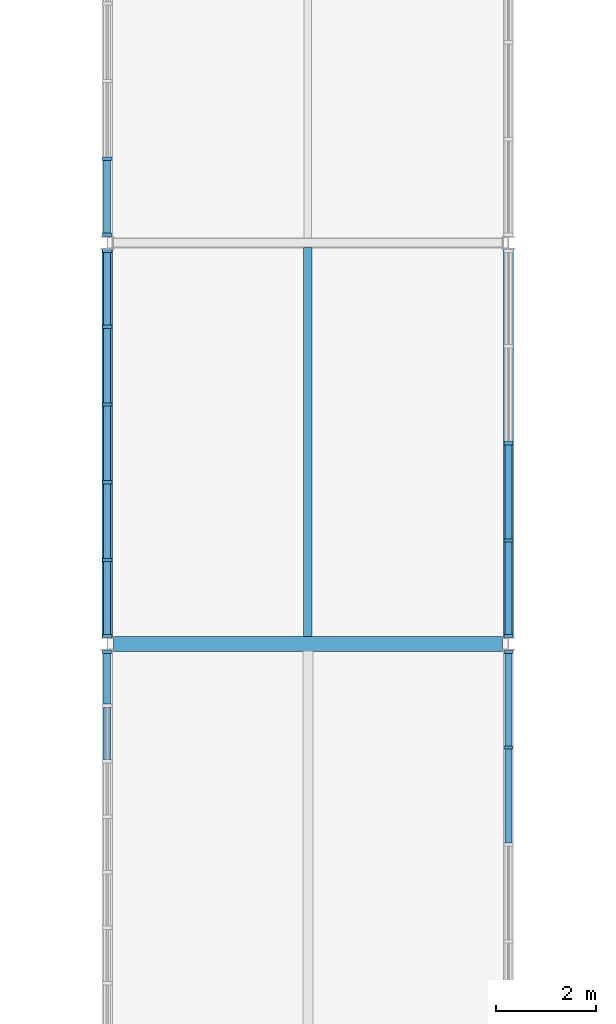
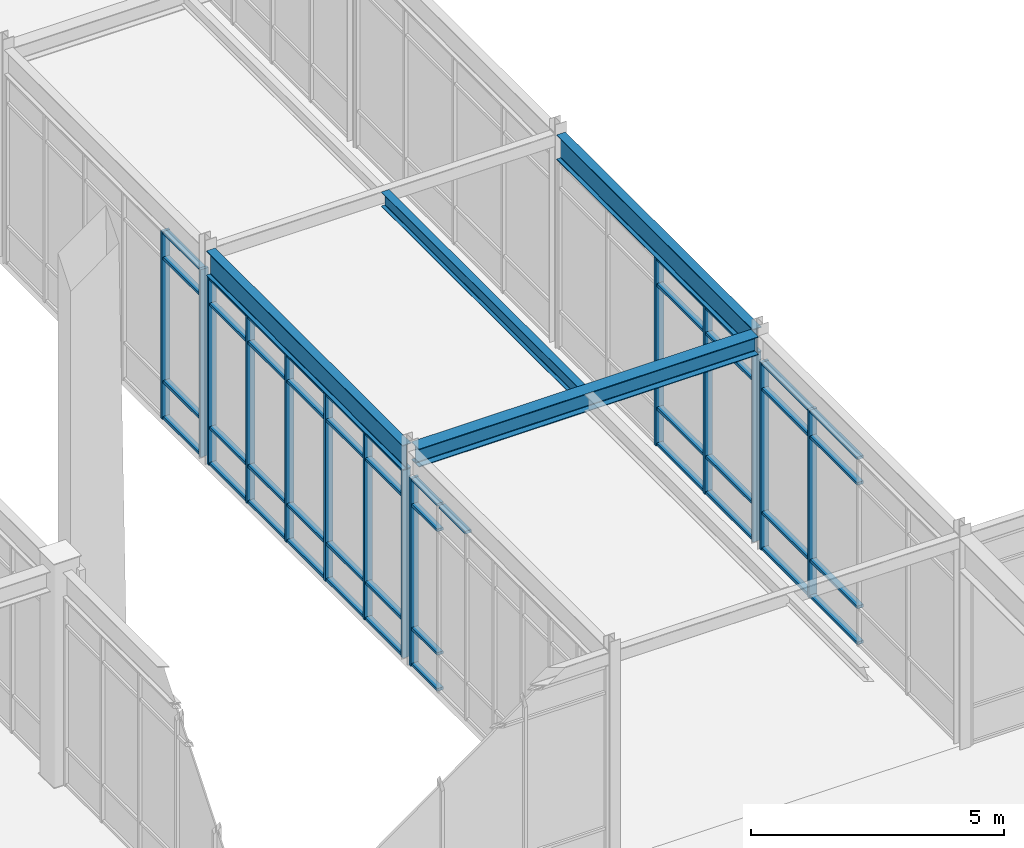
# One storey, part 41 of 184: 59 members, 4 beams, 5 elements without a shape of their own.
"""IFC4 building model written with IfcOpenShell, lengths in metres."""

import ifcopenshell
import ifcopenshell.guid

model = None  # the IFC model being written
_history = None  # IfcOwnerHistory: only IFC2X3 demands one
_inside = {}  # id of a spatial element -> (the spatial element, [elements in it])
_under = {}  # id of a project, library or spatial element -> (it, [spatial elements below it])
_declared = {}  # id of a project -> (the project, [libraries it declares])
_typed = {}  # id of a type object -> (the type object, [elements of that type])
_made_of = {}  # id of a material, layer set ... -> (it, [elements and type objects made of it])


def new_model(schema):
    """Start an empty IFC model of exactly this schema.

    Asked for "IFC4X3", IfcOpenShell would pick the latest addendum, in which some entities
    have other attributes; the version numbers below select the first issue.
    IFC2X3 requires an IfcOwnerHistory on every rooted entity: one is made here for all.
    """
    global model, _history
    if schema == "IFC4X3":
        model = ifcopenshell.file(schema_version=(4, 3, 0, 0))
    else:
        model = ifcopenshell.file(schema=schema)
    _inside.clear()
    _under.clear()
    _declared.clear()
    _typed.clear()
    _made_of.clear()
    _history = None
    if model.schema == "IFC2X3":
        org = make("IfcOrganization", Name="unknown")
        user = make(
            "IfcPersonAndOrganization",
            ThePerson=make("IfcPerson", FamilyName="unknown"),
            TheOrganization=org,
        )
        app = make(
            "IfcApplication",
            ApplicationDeveloper=org,
            Version="unknown",
            ApplicationFullName="unknown",
            ApplicationIdentifier="unknown",
        )
        _history = make(
            "IfcOwnerHistory",
            OwningUser=user,
            OwningApplication=app,
            ChangeAction="ADDED",
            CreationDate=0,
        )
    return model


def make(cls, **values):
    """One entity of the class cls with the attributes given. An attribute that is None is left unset."""
    return model.create_entity(
        cls, **{name: value for name, value in values.items() if value is not None}
    )


def rooted(cls, **values):
    """An entity with a GlobalId (a new one), such as an element, a storey or a relation."""
    return make(cls, GlobalId=ifcopenshell.guid.new(), OwnerHistory=_history, **values)


def si_unit(unit_type, name, prefix=None):
    """IfcSIUnit, for example si_unit("LENGTHUNIT", "METRE", prefix="MILLI")."""
    return make("IfcSIUnit", UnitType=unit_type, Prefix=prefix, Name=name)


def assignment(units):
    """IfcUnitAssignment: the units of a project."""
    return None if units is None else make("IfcUnitAssignment", Units=units)


def point(xyz):
    """IfcCartesianPoint."""
    return None if xyz is None else make("IfcCartesianPoint", Coordinates=xyz)


def direction(xyz):
    """IfcDirection."""
    return None if xyz is None else make("IfcDirection", DirectionRatios=xyz)


def frame(location, z_axis=None, x_axis=None):
    """IfcAxis2Placement3D, a coordinate frame: its origin and axes. An axis left out is left unset."""
    return make(
        "IfcAxis2Placement3D",
        Location=point(location),
        Axis=direction(z_axis),
        RefDirection=direction(x_axis),
    )


def frame_2d(location, x_axis=None):
    """IfcAxis2Placement2D, a coordinate frame in the plane: its origin and x axis."""
    return make(
        "IfcAxis2Placement2D", Location=point(location), RefDirection=direction(x_axis)
    )


def origin():
    """The frame at (0, 0, 0) with its axes left unset."""
    return frame((0.0, 0.0, 0.0))


def origin_2d():
    """The frame at (0, 0) in the plane with its x axis left unset."""
    return frame_2d((0.0, 0.0))


def place(relative_to, where):
    """IfcLocalPlacement: puts the frame where relative to a parent placement (None: the world)."""
    return make(
        "IfcLocalPlacement", PlacementRelTo=relative_to, RelativePlacement=where
    )


def context(
    kind, dimensions, precision=None, world=None, true_north=None, identifier=None
):
    """IfcGeometricRepresentationContext, for example the 3D "Model" context."""
    return make(
        "IfcGeometricRepresentationContext",
        ContextIdentifier=identifier,
        ContextType=kind,
        CoordinateSpaceDimension=dimensions,
        Precision=precision,
        WorldCoordinateSystem=world,
        TrueNorth=true_north,
    )


def subcontext(parent, identifier, kind, view, scale=None):
    """IfcGeometricRepresentationSubContext, for example "Body" below "Model"."""
    return make(
        "IfcGeometricRepresentationSubContext",
        ContextIdentifier=identifier,
        ContextType=kind,
        ParentContext=parent,
        TargetScale=scale,
        TargetView=view,
    )


def project(units=None, contexts=None):
    """IfcProject with its units and contexts."""
    return rooted(
        "IfcProject",
        Name="project",
        RepresentationContexts=contexts,
        UnitsInContext=assignment(units),
    )


def spatial(cls, under=None, at=None, **own):
    """A site, building, storey or space (cls), placed at a placement, below another one or the project."""
    s = rooted(cls, ObjectPlacement=at, **own)
    if under is not None:
        _under.setdefault(under.id(), (under, []))[1].append(s)
    return s


def profile(cls, at=None, kind="AREA", **sizes):
    """A parametric profile (cls). Its sizes go by their IFC names, for example OverallWidth=200.0."""
    return make(cls, ProfileType=kind, Position=at, **sizes)


def rectangle(**sizes):
    """IfcRectangleProfileDef."""
    return profile("IfcRectangleProfileDef", **sizes)


def i_section(**sizes):
    """IfcIShapeProfileDef."""
    return profile("IfcIShapeProfileDef", **sizes)


def extrude(swept, where, along, depth):
    """IfcExtrudedAreaSolid: the profile swept, set in the frame where, extruded along a direction by depth."""
    return make(
        "IfcExtrudedAreaSolid",
        SweptArea=swept,
        Position=where,
        ExtrudedDirection=direction(along),
        Depth=depth,
    )


def shape(context_of_items, identifier, shape_type, items):
    """IfcShapeRepresentation: the items that make up one representation, for example the "Body"."""
    return make(
        "IfcShapeRepresentation",
        ContextOfItems=context_of_items,
        RepresentationIdentifier=identifier,
        RepresentationType=shape_type,
        Items=items,
    )


def material(Name=None, Category=None):
    """IfcMaterial."""
    return make("IfcMaterial", Name=Name, Category=Category)


def material_profile(
    of_material, cross_section, Name=None, Category=None, Priority=None
):
    """IfcMaterialProfile: a cross section and its material."""
    return make(
        "IfcMaterialProfile",
        Name=Name,
        Material=of_material,
        Profile=cross_section,
        Priority=Priority,
        Category=Category,
    )


def profile_set(profiles, Name=None, composite=None):
    """IfcMaterialProfileSet."""
    return make(
        "IfcMaterialProfileSet",
        Name=Name,
        MaterialProfiles=profiles,
        CompositeProfile=composite,
    )


def made_of(thing, what):
    """Note that an element or type object is made of a material, layer set ...; save() writes the relation."""
    if what is not None:
        _made_of.setdefault(what.id(), (what, []))[1].append(thing)
    return thing


def type_object(cls, material=None, **own):
    """A type object (cls), such as IfcWallType, which elements share."""
    return made_of(rooted(cls, **own), material)


def element(
    cls,
    number,
    at=None,
    inside=None,
    cuts=None,
    type_object=None,
    material=None,
    context=None,
    identifier="Body",
    shape_type=None,
    held_by="IfcProductDefinitionShape",
    body=None,
    shapes=None,
    **own,
):
    """One element of the class cls, such as IfcWall. Its Tag is "e" and its number.

    at: its placement. inside: the storey or other place that contains it. cuts: it is an
    opening in that element (IfcRelVoidsElement). A single representation is given by context,
    identifier, shape_type and body (its items); several are given by shapes. held_by: the class
    of the entity that holds the representations. save() writes the other relations.
    """
    e = rooted(cls, Tag="e%d" % number, ObjectPlacement=at, **own)
    if body is not None:
        shapes = [shape(context, identifier, shape_type, body)]
    if shapes is not None:
        e.Representation = make(held_by, Representations=shapes)
    if inside is not None:
        _inside.setdefault(inside.id(), (inside, []))[1].append(e)
    if cuts is not None:
        rooted(
            "IfcRelVoidsElement", RelatingBuildingElement=cuts, RelatedOpeningElement=e
        )
    if type_object is not None:
        _typed.setdefault(type_object.id(), (type_object, []))[1].append(e)
    return made_of(e, material)


def aggregate(whole, parts):
    """IfcRelAggregates: a whole, such as a stair, and the parts it consists of."""
    return rooted("IfcRelAggregates", RelatingObject=whole, RelatedObjects=parts)


def save(model, path):
    """Write the relations noted so far, then the file.

    IfcRelAggregates (storeys below a building ...), IfcRelContainedInSpatialStructure (elements
    in a storey), IfcRelDefinesByType, IfcRelAssociatesMaterial and IfcRelDeclares: one each for
    every whole, place, type object, material and project.
    """
    for whole, parts in _under.values():
        aggregate(whole, parts)
    for where, things in _inside.values():
        rooted(
            "IfcRelContainedInSpatialStructure",
            RelatedElements=things,
            RelatingStructure=where,
        )
    for kind, things in _typed.values():
        rooted("IfcRelDefinesByType", RelatedObjects=things, RelatingType=kind)
    for what, things in _made_of.values():
        rooted("IfcRelAssociatesMaterial", RelatedObjects=things, RelatingMaterial=what)
    for by, libraries in _declared.values():
        rooted("IfcRelDeclares", RelatingContext=by, RelatedDefinitions=libraries)
    model.write(path)


model = new_model("IFC4")

# Units and contexts
model_context = context("Model", 3, precision=1e-05, world=origin(), true_north=direction((0.0, 1.0)))
body_context = subcontext(model_context, "Body", "Model", "MODEL_VIEW")
ifc_project = project(units=[si_unit("LENGTHUNIT", "METRE"), si_unit("AREAUNIT", "SQUARE_METRE"), si_unit("VOLUMEUNIT", "CUBIC_METRE"), si_unit("PLANEANGLEUNIT", "RADIAN"), si_unit("MASSUNIT", "GRAM", prefix="KILO")], contexts=[model_context])

# Site, building, storey
site_placement = place(None, origin())
site = spatial("IfcSite", under=ifc_project, at=site_placement, CompositionType="ELEMENT")
building_placement = place(site_placement, origin())
building = spatial("IfcBuilding", under=site, at=building_placement, Name="Zhaolan Boulevard Law Courts", CompositionType="ELEMENT")
storey_placement = place(building_placement, frame((0.0, 0.0, 5.39990234375)))
storey = spatial("IfcBuildingStorey", under=building, at=storey_placement, Name="L01", CompositionType="ELEMENT", Elevation=5.39990234375)

# Curtain wall, member
ifc_material_1 = material(Name="Thermally broken aluminium and low-E glazing", Category="aluminium")
curtain_wall_type_1 = type_object("IfcCurtainWallType", Name="CURTAIN WALL M18", PredefinedType="USERDEFINED", material=ifc_material_1)
curtain_wall_1_placement = place(storey_placement, origin())
curtain_wall_1 = element("IfcCurtainWall", 1, at=curtain_wall_1_placement, inside=storey, type_object=curtain_wall_type_1, Name="Curtain Wall CW-L01-066", ObjectType="CURTAIN WALL", PredefinedType="USERDEFINED")
ifc_material_2 = material(Name="Fluorocarbon-coated aluminium 6063-T6", Category="aluminium")
ifc_material_profile_1 = material_profile(ifc_material_2, rectangle(XDim=0.179931640625, YDim=0.06494140625, at=origin_2d()), Name="AL65x180")
ifc_profile_set_1 = profile_set([ifc_material_profile_1], Name="Fluorocarbon-coated aluminium 6063-T6")
member_type_1 = type_object("IfcMemberType", Name="CWMULLION 65X180", PredefinedType="MULLION", material=ifc_profile_set_1)
member_1_placement = place(storey_placement, frame((52.0, 37.840576171875, 0.0), z_axis=(0.0, 0.0, 1.0), x_axis=(1.0, 0.0, 0.0)))
member_1 = element("IfcMember", 2, at=member_1_placement, type_object=member_type_1, Name="CW-L01-066 mullion 1", PredefinedType="MULLION", context=body_context, shape_type="SweptSolid", body=[
    extrude(rectangle(XDim=0.179931640625, YDim=0.06494140625, at=origin_2d()), origin(), (0.0, 0.0, 1.0), 4.533203125),
])

# Curtain wall, members
ifc_material_3 = material(Name="Thermally broken aluminium and low-E glazing", Category="aluminium")
curtain_wall_type_2 = type_object("IfcCurtainWallType", Name="CURTAIN WALL M19", PredefinedType="USERDEFINED", material=ifc_material_3)
curtain_wall_2_placement = place(storey_placement, origin())
curtain_wall_2 = element("IfcCurtainWall", 3, at=curtain_wall_2_placement, inside=storey, type_object=curtain_wall_type_2, Name="Curtain Wall CW-L01-067", ObjectType="CURTAIN WALL", PredefinedType="USERDEFINED")
member_2_placement = place(storey_placement, frame((52.0, 45.840576171875, 0.0), z_axis=(0.0, 0.0, 1.0), x_axis=(1.0, 0.0, 0.0)))
member_2 = element("IfcMember", 4, at=member_2_placement, type_object=member_type_1, Name="CW-L01-067 mullion 1", PredefinedType="MULLION", context=body_context, shape_type="SweptSolid", body=[
    extrude(rectangle(XDim=0.179931640625, YDim=0.06494140625, at=origin_2d()), origin(), (0.0, 0.0, 1.0), 4.533203125),
])
member_3_placement = place(storey_placement, frame((52.0, 44.32373046875, 0.0), z_axis=(0.0, 0.0, 1.0), x_axis=(1.0, 0.0, 0.0)))
member_3 = element("IfcMember", 5, at=member_3_placement, type_object=member_type_1, Name="CW-L01-067 mullion 2", PredefinedType="MULLION", context=body_context, shape_type="SweptSolid", body=[
    extrude(rectangle(XDim=0.179931640625, YDim=0.06494140625, at=origin_2d()), origin(), (0.0, 0.0, 1.0), 4.533203125),
])
member_4_placement = place(storey_placement, frame((52.0, 42.774658203125, 0.0), z_axis=(0.0, 0.0, 1.0), x_axis=(1.0, 0.0, 0.0)))
member_4 = element("IfcMember", 6, at=member_4_placement, type_object=member_type_1, Name="CW-L01-067 mullion 3", PredefinedType="MULLION", context=body_context, shape_type="SweptSolid", body=[
    extrude(rectangle(XDim=0.179931640625, YDim=0.06494140625, at=origin_2d()), origin(), (0.0, 0.0, 1.0), 4.533203125),
])
member_5_placement = place(storey_placement, frame((52.0, 41.225341796875, 0.0), z_axis=(0.0, 0.0, 1.0), x_axis=(1.0, 0.0, 0.0)))
member_5 = element("IfcMember", 7, at=member_5_placement, type_object=member_type_1, Name="CW-L01-067 mullion 4", PredefinedType="MULLION", context=body_context, shape_type="SweptSolid", body=[
    extrude(rectangle(XDim=0.179931640625, YDim=0.06494140625, at=origin_2d()), origin(), (0.0, 0.0, 1.0), 4.533203125),
])
member_6_placement = place(storey_placement, frame((52.0, 39.67626953125, 0.0), z_axis=(0.0, 0.0, 1.0), x_axis=(1.0, 0.0, 0.0)))
member_6 = element("IfcMember", 8, at=member_6_placement, type_object=member_type_1, Name="CW-L01-067 mullion 5", PredefinedType="MULLION", context=body_context, shape_type="SweptSolid", body=[
    extrude(rectangle(XDim=0.179931640625, YDim=0.06494140625, at=origin_2d()), origin(), (0.0, 0.0, 1.0), 4.533203125),
])
member_7_placement = place(storey_placement, frame((52.0, 38.159423828125, 0.0), z_axis=(0.0, 0.0, 1.0), x_axis=(1.0, 0.0, 0.0)))
member_7 = element("IfcMember", 9, at=member_7_placement, type_object=member_type_1, Name="CW-L01-067 mullion 6", PredefinedType="MULLION", context=body_context, shape_type="SweptSolid", body=[
    extrude(rectangle(XDim=0.179931640625, YDim=0.06494140625, at=origin_2d()), origin(), (0.0, 0.0, 1.0), 4.533203125),
])

ifc_material_4 = material(Name="Thermally broken aluminium and low-E glazing", Category="aluminium")
curtain_wall_type_3 = type_object("IfcCurtainWallType", Name="CURTAIN WALL M20", PredefinedType="USERDEFINED", material=ifc_material_4)
curtain_wall_3_placement = place(storey_placement, origin())
curtain_wall_3 = element("IfcCurtainWall", 10, at=curtain_wall_3_placement, inside=storey, type_object=curtain_wall_type_3, Name="Curtain Wall CW-L01-068", ObjectType="CURTAIN WALL", PredefinedType="USERDEFINED")
member_8_placement = place(storey_placement, frame((52.0, 47.67626953125, 0.0), z_axis=(0.0, 0.0, 1.0), x_axis=(1.0, 0.0, 0.0)))
member_8 = element("IfcMember", 11, at=member_8_placement, type_object=member_type_1, Name="CW-L01-068 mullion 5", PredefinedType="MULLION", context=body_context, shape_type="SweptSolid", body=[
    extrude(rectangle(XDim=0.179931640625, YDim=0.06494140625, at=origin_2d()), origin(), (0.0, 0.0, 1.0), 4.533203125),
])
member_9_placement = place(storey_placement, frame((52.0, 46.159423828125, 0.0), z_axis=(0.0, 0.0, 1.0), x_axis=(1.0, 0.0, 0.0)))
member_9 = element("IfcMember", 12, at=member_9_placement, type_object=member_type_1, Name="CW-L01-068 mullion 6", PredefinedType="MULLION", context=body_context, shape_type="SweptSolid", body=[
    extrude(rectangle(XDim=0.179931640625, YDim=0.06494140625, at=origin_2d()), origin(), (0.0, 0.0, 1.0), 4.533203125),
])

ifc_material_5 = material(Name="Thermally broken aluminium and low-E glazing", Category="aluminium")
curtain_wall_type_4 = type_object("IfcCurtainWallType", Name="CURTAIN WALL M22", PredefinedType="USERDEFINED", material=ifc_material_5)
curtain_wall_4_placement = place(storey_placement, origin())
curtain_wall_4 = element("IfcCurtainWall", 13, at=curtain_wall_4_placement, inside=storey, type_object=curtain_wall_type_4, Name="Curtain Wall CW-L01-070", ObjectType="CURTAIN WALL", PredefinedType="USERDEFINED")
member_10_placement = place(storey_placement, frame((60.0, 35.9365234375, 0.0), z_axis=(0.0, 0.0, 1.0), x_axis=(-1.0, 0.0, 0.0)))
member_10 = element("IfcMember", 14, at=member_10_placement, type_object=member_type_1, Name="CW-L01-070 mullion 4", PredefinedType="MULLION", context=body_context, shape_type="SweptSolid", body=[
    extrude(rectangle(XDim=0.179931640625, YDim=0.06494140625, at=origin_2d()), origin(), (0.0, 0.0, 1.0), 4.533203125),
])
member_11_placement = place(storey_placement, frame((60.0, 37.840576171875, 0.0), z_axis=(0.0, 0.0, 1.0), x_axis=(-1.0, 0.0, 0.0)))
member_11 = element("IfcMember", 15, at=member_11_placement, type_object=member_type_1, Name="CW-L01-070 mullion 5", PredefinedType="MULLION", context=body_context, shape_type="SweptSolid", body=[
    extrude(rectangle(XDim=0.179931640625, YDim=0.06494140625, at=origin_2d()), origin(), (0.0, 0.0, 1.0), 4.533203125),
])

ifc_material_6 = material(Name="Thermally broken aluminium and low-E glazing", Category="aluminium")
curtain_wall_type_5 = type_object("IfcCurtainWallType", Name="CURTAIN WALL M23", PredefinedType="USERDEFINED", material=ifc_material_6)
curtain_wall_5_placement = place(storey_placement, origin())
curtain_wall_5 = element("IfcCurtainWall", 16, at=curtain_wall_5_placement, inside=storey, type_object=curtain_wall_type_5, Name="Curtain Wall CW-L01-071", ObjectType="CURTAIN WALL", PredefinedType="USERDEFINED")
member_12_placement = place(storey_placement, frame((60.0, 38.159423828125, 0.0), z_axis=(0.0, 0.0, 1.0), x_axis=(-1.0, 0.0, 0.0)))
member_12 = element("IfcMember", 17, at=member_12_placement, type_object=member_type_1, Name="CW-L01-071 mullion 1", PredefinedType="MULLION", context=body_context, shape_type="SweptSolid", body=[
    extrude(rectangle(XDim=0.179931640625, YDim=0.06494140625, at=origin_2d()), origin(), (0.0, 0.0, 1.0), 4.533203125),
])
member_13_placement = place(storey_placement, frame((60.0, 40.0634765625, 0.0), z_axis=(0.0, 0.0, 1.0), x_axis=(-1.0, 0.0, 0.0)))
member_13 = element("IfcMember", 18, at=member_13_placement, type_object=member_type_1, Name="CW-L01-071 mullion 2", PredefinedType="MULLION", context=body_context, shape_type="SweptSolid", body=[
    extrude(rectangle(XDim=0.179931640625, YDim=0.06494140625, at=origin_2d()), origin(), (0.0, 0.0, 1.0), 4.533203125),
])
member_14_placement = place(storey_placement, frame((60.0, 42.0, 0.0), z_axis=(0.0, 0.0, 1.0), x_axis=(-1.0, 0.0, 0.0)))
member_14 = element("IfcMember", 19, at=member_14_placement, type_object=member_type_1, Name="CW-L01-071 mullion 3", PredefinedType="MULLION", context=body_context, shape_type="SweptSolid", body=[
    extrude(rectangle(XDim=0.179931640625, YDim=0.06494140625, at=origin_2d()), origin(), (0.0, 0.0, 1.0), 4.533203125),
])

# Member
ifc_material_7 = material(Name="Fluorocarbon-coated aluminium 6063-T6", Category="aluminium")
ifc_material_profile_2 = material_profile(ifc_material_7, rectangle(XDim=0.139892578125, YDim=0.06494140625, at=origin_2d()), Name="AL65x140")
ifc_profile_set_2 = profile_set([ifc_material_profile_2], Name="Fluorocarbon-coated aluminium 6063-T6")
member_type_2 = type_object("IfcMemberType", Name="CWTRANSOM 65X140", PredefinedType="USERDEFINED", material=ifc_profile_set_2)
member_15_placement = place(storey_placement, frame((52.0, 37.80810546875, 0.03271484375), z_axis=(0.0, -1.0, 0.0), x_axis=(1.0, 0.0, 0.0)))
member_15 = element("IfcMember", 20, at=member_15_placement, type_object=member_type_2, Name="CW-L01-066 transom 1.1", ObjectType="TRANSOM", PredefinedType="USERDEFINED", context=body_context, shape_type="SweptSolid", body=[
    extrude(rectangle(XDim=0.139892578125, YDim=0.06494140625, at=origin_2d()), origin(), (0.0, 0.0, 1.0), 1.00927734375),
])

member_16_placement = place(storey_placement, frame((52.0, 37.80810546875, 0.900146484375), z_axis=(0.0, -1.0, 0.0), x_axis=(1.0, 0.0, 0.0)))
member_16 = element("IfcMember", 21, at=member_16_placement, type_object=member_type_2, Name="CW-L01-066 transom 1.2", ObjectType="TRANSOM", PredefinedType="USERDEFINED", context=body_context, shape_type="SweptSolid", body=[
    extrude(rectangle(XDim=0.139892578125, YDim=0.06494140625, at=origin_2d()), origin(), (0.0, 0.0, 1.0), 1.00927734375),
])

member_17_placement = place(storey_placement, frame((52.0, 37.80810546875, 3.883056640625), z_axis=(0.0, -1.0, 0.0), x_axis=(1.0, 0.0, 0.0)))
member_17 = element("IfcMember", 22, at=member_17_placement, type_object=member_type_2, Name="CW-L01-066 transom 1.3", ObjectType="TRANSOM", PredefinedType="USERDEFINED", context=body_context, shape_type="SweptSolid", body=[
    extrude(rectangle(XDim=0.139892578125, YDim=0.06494140625, at=origin_2d()), origin(), (0.0, 0.0, 1.0), 1.00927734375),
])

member_18_placement = place(storey_placement, frame((52.0, 37.80810546875, 4.50048828125), z_axis=(0.0, -1.0, 0.0), x_axis=(1.0, 0.0, 0.0)))
member_18 = element("IfcMember", 23, at=member_18_placement, type_object=member_type_2, Name="CW-L01-066 transom 1.4", ObjectType="TRANSOM", PredefinedType="USERDEFINED", context=body_context, shape_type="SweptSolid", body=[
    extrude(rectangle(XDim=0.139892578125, YDim=0.06494140625, at=origin_2d()), origin(), (0.0, 0.0, 1.0), 1.00927734375),
])

member_19_placement = place(storey_placement, frame((52.0, 36.73388671875, 4.50048828125), z_axis=(0.0, -1.0, 0.0), x_axis=(1.0, 0.0, 0.0)))
member_19 = element("IfcMember", 24, at=member_19_placement, type_object=member_type_2, Name="CW-L01-066 transom 2.4", ObjectType="TRANSOM", PredefinedType="USERDEFINED", context=body_context, shape_type="SweptSolid", body=[
    extrude(rectangle(XDim=0.139892578125, YDim=0.06494140625, at=origin_2d()), origin(), (0.0, 0.0, 1.0), 1.04150390625),
])

aggregate(curtain_wall_1, [member_1, member_15, member_16, member_17, member_18, member_19])

member_20_placement = place(storey_placement, frame((52.0, 45.80810546875, 0.03271484375), z_axis=(0.0, -1.0, 0.0), x_axis=(1.0, 0.0, 0.0)))
member_20 = element("IfcMember", 25, at=member_20_placement, type_object=member_type_2, Name="CW-L01-067 transom 1.1", ObjectType="TRANSOM", PredefinedType="USERDEFINED", context=body_context, shape_type="SweptSolid", body=[
    extrude(rectangle(XDim=0.139892578125, YDim=0.06494140625, at=origin_2d()), origin(), (0.0, 0.0, 1.0), 1.451904296875),
])

member_21_placement = place(storey_placement, frame((52.0, 45.80810546875, 0.900146484375), z_axis=(0.0, -1.0, 0.0), x_axis=(1.0, 0.0, 0.0)))
member_21 = element("IfcMember", 26, at=member_21_placement, type_object=member_type_2, Name="CW-L01-067 transom 1.2", ObjectType="TRANSOM", PredefinedType="USERDEFINED", context=body_context, shape_type="SweptSolid", body=[
    extrude(rectangle(XDim=0.139892578125, YDim=0.06494140625, at=origin_2d()), origin(), (0.0, 0.0, 1.0), 1.451904296875),
])

member_22_placement = place(storey_placement, frame((52.0, 45.80810546875, 3.883056640625), z_axis=(0.0, -1.0, 0.0), x_axis=(1.0, 0.0, 0.0)))
member_22 = element("IfcMember", 27, at=member_22_placement, type_object=member_type_2, Name="CW-L01-067 transom 1.3", ObjectType="TRANSOM", PredefinedType="USERDEFINED", context=body_context, shape_type="SweptSolid", body=[
    extrude(rectangle(XDim=0.139892578125, YDim=0.06494140625, at=origin_2d()), origin(), (0.0, 0.0, 1.0), 1.451904296875),
])

member_23_placement = place(storey_placement, frame((52.0, 45.80810546875, 4.50048828125), z_axis=(0.0, -1.0, 0.0), x_axis=(1.0, 0.0, 0.0)))
member_23 = element("IfcMember", 28, at=member_23_placement, type_object=member_type_2, Name="CW-L01-067 transom 1.4", ObjectType="TRANSOM", PredefinedType="USERDEFINED", context=body_context, shape_type="SweptSolid", body=[
    extrude(rectangle(XDim=0.139892578125, YDim=0.06494140625, at=origin_2d()), origin(), (0.0, 0.0, 1.0), 1.451904296875),
])

member_24_placement = place(storey_placement, frame((52.0, 44.291259765625, 0.03271484375), z_axis=(0.0, -1.0, 0.0), x_axis=(1.0, 0.0, 0.0)))
member_24 = element("IfcMember", 29, at=member_24_placement, type_object=member_type_2, Name="CW-L01-067 transom 2.1", ObjectType="TRANSOM", PredefinedType="USERDEFINED", context=body_context, shape_type="SweptSolid", body=[
    extrude(rectangle(XDim=0.139892578125, YDim=0.06494140625, at=origin_2d()), origin(), (0.0, 0.0, 1.0), 1.484130859375),
])

member_25_placement = place(storey_placement, frame((52.0, 44.291259765625, 0.900146484375), z_axis=(0.0, -1.0, 0.0), x_axis=(1.0, 0.0, 0.0)))
member_25 = element("IfcMember", 30, at=member_25_placement, type_object=member_type_2, Name="CW-L01-067 transom 2.2", ObjectType="TRANSOM", PredefinedType="USERDEFINED", context=body_context, shape_type="SweptSolid", body=[
    extrude(rectangle(XDim=0.139892578125, YDim=0.06494140625, at=origin_2d()), origin(), (0.0, 0.0, 1.0), 1.484130859375),
])

member_26_placement = place(storey_placement, frame((52.0, 44.291259765625, 3.883056640625), z_axis=(0.0, -1.0, 0.0), x_axis=(1.0, 0.0, 0.0)))
member_26 = element("IfcMember", 31, at=member_26_placement, type_object=member_type_2, Name="CW-L01-067 transom 2.3", ObjectType="TRANSOM", PredefinedType="USERDEFINED", context=body_context, shape_type="SweptSolid", body=[
    extrude(rectangle(XDim=0.139892578125, YDim=0.06494140625, at=origin_2d()), origin(), (0.0, 0.0, 1.0), 1.484130859375),
])

member_27_placement = place(storey_placement, frame((52.0, 44.291259765625, 4.50048828125), z_axis=(0.0, -1.0, 0.0), x_axis=(1.0, 0.0, 0.0)))
member_27 = element("IfcMember", 32, at=member_27_placement, type_object=member_type_2, Name="CW-L01-067 transom 2.4", ObjectType="TRANSOM", PredefinedType="USERDEFINED", context=body_context, shape_type="SweptSolid", body=[
    extrude(rectangle(XDim=0.139892578125, YDim=0.06494140625, at=origin_2d()), origin(), (0.0, 0.0, 1.0), 1.484130859375),
])

member_28_placement = place(storey_placement, frame((52.0, 42.7421875, 0.03271484375), z_axis=(0.0, -1.0, 0.0), x_axis=(1.0, 0.0, 0.0)))
member_28 = element("IfcMember", 33, at=member_28_placement, type_object=member_type_2, Name="CW-L01-067 transom 3.1", ObjectType="TRANSOM", PredefinedType="USERDEFINED", context=body_context, shape_type="SweptSolid", body=[
    extrude(rectangle(XDim=0.139892578125, YDim=0.06494140625, at=origin_2d()), origin(), (0.0, 0.0, 1.0), 1.484375),
])

member_29_placement = place(storey_placement, frame((52.0, 42.7421875, 0.900146484375), z_axis=(0.0, -1.0, 0.0), x_axis=(1.0, 0.0, 0.0)))
member_29 = element("IfcMember", 34, at=member_29_placement, type_object=member_type_2, Name="CW-L01-067 transom 3.2", ObjectType="TRANSOM", PredefinedType="USERDEFINED", context=body_context, shape_type="SweptSolid", body=[
    extrude(rectangle(XDim=0.139892578125, YDim=0.06494140625, at=origin_2d()), origin(), (0.0, 0.0, 1.0), 1.484375),
])

member_30_placement = place(storey_placement, frame((52.0, 42.7421875, 3.883056640625), z_axis=(0.0, -1.0, 0.0), x_axis=(1.0, 0.0, 0.0)))
member_30 = element("IfcMember", 35, at=member_30_placement, type_object=member_type_2, Name="CW-L01-067 transom 3.3", ObjectType="TRANSOM", PredefinedType="USERDEFINED", context=body_context, shape_type="SweptSolid", body=[
    extrude(rectangle(XDim=0.139892578125, YDim=0.06494140625, at=origin_2d()), origin(), (0.0, 0.0, 1.0), 1.484375),
])

member_31_placement = place(storey_placement, frame((52.0, 42.7421875, 4.50048828125), z_axis=(0.0, -1.0, 0.0), x_axis=(1.0, 0.0, 0.0)))
member_31 = element("IfcMember", 36, at=member_31_placement, type_object=member_type_2, Name="CW-L01-067 transom 3.4", ObjectType="TRANSOM", PredefinedType="USERDEFINED", context=body_context, shape_type="SweptSolid", body=[
    extrude(rectangle(XDim=0.139892578125, YDim=0.06494140625, at=origin_2d()), origin(), (0.0, 0.0, 1.0), 1.484375),
])

member_32_placement = place(storey_placement, frame((52.0, 41.19287109375, 0.03271484375), z_axis=(0.0, -1.0, 0.0), x_axis=(1.0, 0.0, 0.0)))
member_32 = element("IfcMember", 37, at=member_32_placement, type_object=member_type_2, Name="CW-L01-067 transom 4.1", ObjectType="TRANSOM", PredefinedType="USERDEFINED", context=body_context, shape_type="SweptSolid", body=[
    extrude(rectangle(XDim=0.139892578125, YDim=0.06494140625, at=origin_2d()), origin(), (0.0, 0.0, 1.0), 1.484130859375),
])

member_33_placement = place(storey_placement, frame((52.0, 41.19287109375, 0.900146484375), z_axis=(0.0, -1.0, 0.0), x_axis=(1.0, 0.0, 0.0)))
member_33 = element("IfcMember", 38, at=member_33_placement, type_object=member_type_2, Name="CW-L01-067 transom 4.2", ObjectType="TRANSOM", PredefinedType="USERDEFINED", context=body_context, shape_type="SweptSolid", body=[
    extrude(rectangle(XDim=0.139892578125, YDim=0.06494140625, at=origin_2d()), origin(), (0.0, 0.0, 1.0), 1.484130859375),
])

member_34_placement = place(storey_placement, frame((52.0, 41.19287109375, 3.883056640625), z_axis=(0.0, -1.0, 0.0), x_axis=(1.0, 0.0, 0.0)))
member_34 = element("IfcMember", 39, at=member_34_placement, type_object=member_type_2, Name="CW-L01-067 transom 4.3", ObjectType="TRANSOM", PredefinedType="USERDEFINED", context=body_context, shape_type="SweptSolid", body=[
    extrude(rectangle(XDim=0.139892578125, YDim=0.06494140625, at=origin_2d()), origin(), (0.0, 0.0, 1.0), 1.484130859375),
])

member_35_placement = place(storey_placement, frame((52.0, 41.19287109375, 4.50048828125), z_axis=(0.0, -1.0, 0.0), x_axis=(1.0, 0.0, 0.0)))
member_35 = element("IfcMember", 40, at=member_35_placement, type_object=member_type_2, Name="CW-L01-067 transom 4.4", ObjectType="TRANSOM", PredefinedType="USERDEFINED", context=body_context, shape_type="SweptSolid", body=[
    extrude(rectangle(XDim=0.139892578125, YDim=0.06494140625, at=origin_2d()), origin(), (0.0, 0.0, 1.0), 1.484130859375),
])

member_36_placement = place(storey_placement, frame((52.0, 39.643798828125, 0.03271484375), z_axis=(0.0, -1.0, 0.0), x_axis=(1.0, 0.0, 0.0)))
member_36 = element("IfcMember", 41, at=member_36_placement, type_object=member_type_2, Name="CW-L01-067 transom 5.1", ObjectType="TRANSOM", PredefinedType="USERDEFINED", context=body_context, shape_type="SweptSolid", body=[
    extrude(rectangle(XDim=0.139892578125, YDim=0.06494140625, at=origin_2d()), origin(), (0.0, 0.0, 1.0), 1.451904296875),
])

member_37_placement = place(storey_placement, frame((52.0, 39.643798828125, 0.900146484375), z_axis=(0.0, -1.0, 0.0), x_axis=(1.0, 0.0, 0.0)))
member_37 = element("IfcMember", 42, at=member_37_placement, type_object=member_type_2, Name="CW-L01-067 transom 5.2", ObjectType="TRANSOM", PredefinedType="USERDEFINED", context=body_context, shape_type="SweptSolid", body=[
    extrude(rectangle(XDim=0.139892578125, YDim=0.06494140625, at=origin_2d()), origin(), (0.0, 0.0, 1.0), 1.451904296875),
])

member_38_placement = place(storey_placement, frame((52.0, 39.643798828125, 3.883056640625), z_axis=(0.0, -1.0, 0.0), x_axis=(1.0, 0.0, 0.0)))
member_38 = element("IfcMember", 43, at=member_38_placement, type_object=member_type_2, Name="CW-L01-067 transom 5.3", ObjectType="TRANSOM", PredefinedType="USERDEFINED", context=body_context, shape_type="SweptSolid", body=[
    extrude(rectangle(XDim=0.139892578125, YDim=0.06494140625, at=origin_2d()), origin(), (0.0, 0.0, 1.0), 1.451904296875),
])

member_39_placement = place(storey_placement, frame((52.0, 39.643798828125, 4.50048828125), z_axis=(0.0, -1.0, 0.0), x_axis=(1.0, 0.0, 0.0)))
member_39 = element("IfcMember", 44, at=member_39_placement, type_object=member_type_2, Name="CW-L01-067 transom 5.4", ObjectType="TRANSOM", PredefinedType="USERDEFINED", context=body_context, shape_type="SweptSolid", body=[
    extrude(rectangle(XDim=0.139892578125, YDim=0.06494140625, at=origin_2d()), origin(), (0.0, 0.0, 1.0), 1.451904296875),
])

aggregate(curtain_wall_2, [member_2, member_3, member_4, member_5, member_6, member_7, member_20, member_21, member_22, member_23, member_24, member_25, member_26, member_27, member_28, member_29, member_30, member_31, member_32, member_33, member_34, member_35, member_36, member_37, member_38, member_39])

member_40_placement = place(storey_placement, frame((52.0, 47.643798828125, 0.03271484375), z_axis=(0.0, -1.0, 0.0), x_axis=(1.0, 0.0, 0.0)))
member_40 = element("IfcMember", 45, at=member_40_placement, type_object=member_type_2, Name="CW-L01-068 transom 5.1", ObjectType="TRANSOM", PredefinedType="USERDEFINED", context=body_context, shape_type="SweptSolid", body=[
    extrude(rectangle(XDim=0.139892578125, YDim=0.06494140625, at=origin_2d()), origin(), (0.0, 0.0, 1.0), 1.451904296875),
])

member_41_placement = place(storey_placement, frame((52.0, 47.643798828125, 0.900146484375), z_axis=(0.0, -1.0, 0.0), x_axis=(1.0, 0.0, 0.0)))
member_41 = element("IfcMember", 46, at=member_41_placement, type_object=member_type_2, Name="CW-L01-068 transom 5.2", ObjectType="TRANSOM", PredefinedType="USERDEFINED", context=body_context, shape_type="SweptSolid", body=[
    extrude(rectangle(XDim=0.139892578125, YDim=0.06494140625, at=origin_2d()), origin(), (0.0, 0.0, 1.0), 1.451904296875),
])

member_42_placement = place(storey_placement, frame((52.0, 47.643798828125, 3.883056640625), z_axis=(0.0, -1.0, 0.0), x_axis=(1.0, 0.0, 0.0)))
member_42 = element("IfcMember", 47, at=member_42_placement, type_object=member_type_2, Name="CW-L01-068 transom 5.3", ObjectType="TRANSOM", PredefinedType="USERDEFINED", context=body_context, shape_type="SweptSolid", body=[
    extrude(rectangle(XDim=0.139892578125, YDim=0.06494140625, at=origin_2d()), origin(), (0.0, 0.0, 1.0), 1.451904296875),
])

member_43_placement = place(storey_placement, frame((52.0, 47.643798828125, 4.50048828125), z_axis=(0.0, -1.0, 0.0), x_axis=(1.0, 0.0, 0.0)))
member_43 = element("IfcMember", 48, at=member_43_placement, type_object=member_type_2, Name="CW-L01-068 transom 5.4", ObjectType="TRANSOM", PredefinedType="USERDEFINED", context=body_context, shape_type="SweptSolid", body=[
    extrude(rectangle(XDim=0.139892578125, YDim=0.06494140625, at=origin_2d()), origin(), (0.0, 0.0, 1.0), 1.451904296875),
])

aggregate(curtain_wall_3, [member_8, member_9, member_40, member_41, member_42, member_43])

member_44_placement = place(storey_placement, frame((60.0, 34.032470703125, 0.03271484375), z_axis=(0.0, 1.0, 0.0), x_axis=(-1.0, 0.0, 0.0)))
member_44 = element("IfcMember", 49, at=member_44_placement, type_object=member_type_2, Name="CW-L01-070 transom 3.1", ObjectType="TRANSOM", PredefinedType="USERDEFINED", context=body_context, shape_type="SweptSolid", body=[
    extrude(rectangle(XDim=0.139892578125, YDim=0.06494140625, at=origin_2d()), origin(), (0.0, 0.0, 1.0), 1.87158203125),
])

member_45_placement = place(storey_placement, frame((60.0, 34.032470703125, 0.900146484375), z_axis=(0.0, 1.0, 0.0), x_axis=(-1.0, 0.0, 0.0)))
member_45 = element("IfcMember", 50, at=member_45_placement, type_object=member_type_2, Name="CW-L01-070 transom 3.2", ObjectType="TRANSOM", PredefinedType="USERDEFINED", context=body_context, shape_type="SweptSolid", body=[
    extrude(rectangle(XDim=0.139892578125, YDim=0.06494140625, at=origin_2d()), origin(), (0.0, 0.0, 1.0), 1.87158203125),
])

member_46_placement = place(storey_placement, frame((60.0, 34.032470703125, 3.883056640625), z_axis=(0.0, 1.0, 0.0), x_axis=(-1.0, 0.0, 0.0)))
member_46 = element("IfcMember", 51, at=member_46_placement, type_object=member_type_2, Name="CW-L01-070 transom 3.3", ObjectType="TRANSOM", PredefinedType="USERDEFINED", context=body_context, shape_type="SweptSolid", body=[
    extrude(rectangle(XDim=0.139892578125, YDim=0.06494140625, at=origin_2d()), origin(), (0.0, 0.0, 1.0), 1.87158203125),
])

member_47_placement = place(storey_placement, frame((60.0, 34.032470703125, 4.50048828125), z_axis=(0.0, 1.0, 0.0), x_axis=(-1.0, 0.0, 0.0)))
member_47 = element("IfcMember", 52, at=member_47_placement, type_object=member_type_2, Name="CW-L01-070 transom 3.4", ObjectType="TRANSOM", PredefinedType="USERDEFINED", context=body_context, shape_type="SweptSolid", body=[
    extrude(rectangle(XDim=0.139892578125, YDim=0.06494140625, at=origin_2d()), origin(), (0.0, 0.0, 1.0), 1.87158203125),
])

member_48_placement = place(storey_placement, frame((60.0, 35.968994140625, 0.03271484375), z_axis=(0.0, 1.0, 0.0), x_axis=(-1.0, 0.0, 0.0)))
member_48 = element("IfcMember", 53, at=member_48_placement, type_object=member_type_2, Name="CW-L01-070 transom 4.1", ObjectType="TRANSOM", PredefinedType="USERDEFINED", context=body_context, shape_type="SweptSolid", body=[
    extrude(rectangle(XDim=0.139892578125, YDim=0.06494140625, at=origin_2d()), origin(), (0.0, 0.0, 1.0), 1.839111328125),
])

member_49_placement = place(storey_placement, frame((60.0, 35.968994140625, 0.900146484375), z_axis=(0.0, 1.0, 0.0), x_axis=(-1.0, 0.0, 0.0)))
member_49 = element("IfcMember", 54, at=member_49_placement, type_object=member_type_2, Name="CW-L01-070 transom 4.2", ObjectType="TRANSOM", PredefinedType="USERDEFINED", context=body_context, shape_type="SweptSolid", body=[
    extrude(rectangle(XDim=0.139892578125, YDim=0.06494140625, at=origin_2d()), origin(), (0.0, 0.0, 1.0), 1.839111328125),
])

member_50_placement = place(storey_placement, frame((60.0, 35.968994140625, 3.883056640625), z_axis=(0.0, 1.0, 0.0), x_axis=(-1.0, 0.0, 0.0)))
member_50 = element("IfcMember", 55, at=member_50_placement, type_object=member_type_2, Name="CW-L01-070 transom 4.3", ObjectType="TRANSOM", PredefinedType="USERDEFINED", context=body_context, shape_type="SweptSolid", body=[
    extrude(rectangle(XDim=0.139892578125, YDim=0.06494140625, at=origin_2d()), origin(), (0.0, 0.0, 1.0), 1.839111328125),
])

member_51_placement = place(storey_placement, frame((60.0, 35.968994140625, 4.50048828125), z_axis=(0.0, 1.0, 0.0), x_axis=(-1.0, 0.0, 0.0)))
member_51 = element("IfcMember", 56, at=member_51_placement, type_object=member_type_2, Name="CW-L01-070 transom 4.4", ObjectType="TRANSOM", PredefinedType="USERDEFINED", context=body_context, shape_type="SweptSolid", body=[
    extrude(rectangle(XDim=0.139892578125, YDim=0.06494140625, at=origin_2d()), origin(), (0.0, 0.0, 1.0), 1.839111328125),
])

aggregate(curtain_wall_4, [member_10, member_11, member_44, member_45, member_46, member_47, member_48, member_49, member_50, member_51])

member_52_placement = place(storey_placement, frame((60.0, 38.19189453125, 0.03271484375), z_axis=(0.0, 1.0, 0.0), x_axis=(-1.0, 0.0, 0.0)))
member_52 = element("IfcMember", 57, at=member_52_placement, type_object=member_type_2, Name="CW-L01-071 transom 1.1", ObjectType="TRANSOM", PredefinedType="USERDEFINED", context=body_context, shape_type="SweptSolid", body=[
    extrude(rectangle(XDim=0.139892578125, YDim=0.06494140625, at=origin_2d()), origin(), (0.0, 0.0, 1.0), 1.839111328125),
])

member_53_placement = place(storey_placement, frame((60.0, 38.19189453125, 0.900146484375), z_axis=(0.0, 1.0, 0.0), x_axis=(-1.0, 0.0, 0.0)))
member_53 = element("IfcMember", 58, at=member_53_placement, type_object=member_type_2, Name="CW-L01-071 transom 1.2", ObjectType="TRANSOM", PredefinedType="USERDEFINED", context=body_context, shape_type="SweptSolid", body=[
    extrude(rectangle(XDim=0.139892578125, YDim=0.06494140625, at=origin_2d()), origin(), (0.0, 0.0, 1.0), 1.839111328125),
])

member_54_placement = place(storey_placement, frame((60.0, 38.19189453125, 3.883056640625), z_axis=(0.0, 1.0, 0.0), x_axis=(-1.0, 0.0, 0.0)))
member_54 = element("IfcMember", 59, at=member_54_placement, type_object=member_type_2, Name="CW-L01-071 transom 1.3", ObjectType="TRANSOM", PredefinedType="USERDEFINED", context=body_context, shape_type="SweptSolid", body=[
    extrude(rectangle(XDim=0.139892578125, YDim=0.06494140625, at=origin_2d()), origin(), (0.0, 0.0, 1.0), 1.839111328125),
])

member_55_placement = place(storey_placement, frame((60.0, 38.19189453125, 4.50048828125), z_axis=(0.0, 1.0, 0.0), x_axis=(-1.0, 0.0, 0.0)))
member_55 = element("IfcMember", 60, at=member_55_placement, type_object=member_type_2, Name="CW-L01-071 transom 1.4", ObjectType="TRANSOM", PredefinedType="USERDEFINED", context=body_context, shape_type="SweptSolid", body=[
    extrude(rectangle(XDim=0.139892578125, YDim=0.06494140625, at=origin_2d()), origin(), (0.0, 0.0, 1.0), 1.839111328125),
])

member_56_placement = place(storey_placement, frame((60.0, 40.095947265625, 0.03271484375), z_axis=(0.0, 1.0, 0.0), x_axis=(-1.0, 0.0, 0.0)))
member_56 = element("IfcMember", 61, at=member_56_placement, type_object=member_type_2, Name="CW-L01-071 transom 2.1", ObjectType="TRANSOM", PredefinedType="USERDEFINED", context=body_context, shape_type="SweptSolid", body=[
    extrude(rectangle(XDim=0.139892578125, YDim=0.06494140625, at=origin_2d()), origin(), (0.0, 0.0, 1.0), 1.87158203125),
])

member_57_placement = place(storey_placement, frame((60.0, 40.095947265625, 0.900146484375), z_axis=(0.0, 1.0, 0.0), x_axis=(-1.0, 0.0, 0.0)))
member_57 = element("IfcMember", 62, at=member_57_placement, type_object=member_type_2, Name="CW-L01-071 transom 2.2", ObjectType="TRANSOM", PredefinedType="USERDEFINED", context=body_context, shape_type="SweptSolid", body=[
    extrude(rectangle(XDim=0.139892578125, YDim=0.06494140625, at=origin_2d()), origin(), (0.0, 0.0, 1.0), 1.87158203125),
])

member_58_placement = place(storey_placement, frame((60.0, 40.095947265625, 3.883056640625), z_axis=(0.0, 1.0, 0.0), x_axis=(-1.0, 0.0, 0.0)))
member_58 = element("IfcMember", 63, at=member_58_placement, type_object=member_type_2, Name="CW-L01-071 transom 2.3", ObjectType="TRANSOM", PredefinedType="USERDEFINED", context=body_context, shape_type="SweptSolid", body=[
    extrude(rectangle(XDim=0.139892578125, YDim=0.06494140625, at=origin_2d()), origin(), (0.0, 0.0, 1.0), 1.87158203125),
])

member_59_placement = place(storey_placement, frame((60.0, 40.095947265625, 4.50048828125), z_axis=(0.0, 1.0, 0.0), x_axis=(-1.0, 0.0, 0.0)))
member_59 = element("IfcMember", 64, at=member_59_placement, type_object=member_type_2, Name="CW-L01-071 transom 2.4", ObjectType="TRANSOM", PredefinedType="USERDEFINED", context=body_context, shape_type="SweptSolid", body=[
    extrude(rectangle(XDim=0.139892578125, YDim=0.06494140625, at=origin_2d()), origin(), (0.0, 0.0, 1.0), 1.87158203125),
])

aggregate(curtain_wall_5, [member_12, member_13, member_14, member_52, member_53, member_54, member_55, member_56, member_57, member_58, member_59])

# Beams
ifc_material_8 = material(Name="Structural steel Q355B", Category="steel")
ifc_material_profile_3 = material_profile(ifc_material_8, i_section(OverallWidth=0.300048828125, OverallDepth=0.43994140625, WebThickness=0.010986328125, FlangeThickness=0.01806640625, FilletRadius=0.02001953125, at=origin_2d()), Name="HM440x300")
ifc_profile_set_3 = profile_set([ifc_material_profile_3], Name="Structural steel Q355B")
beam_type_1 = type_object("IfcBeamType", Name="GIRDER HM440", PredefinedType="BEAM", material=ifc_profile_set_3)
beam_1_placement = place(storey_placement, frame((52.12109375, 38.0, 4.927978515625), z_axis=(1.0, 0.0, 0.0), x_axis=(0.0, 1.0, 0.0)))
element("IfcBeam", 65, at=beam_1_placement, inside=storey, type_object=beam_type_1, Name="Beam BX-L02-7-8-F", PredefinedType="BEAM", context=body_context, shape_type="SweptSolid", body=[
    extrude(i_section(OverallWidth=0.300048828125, OverallDepth=0.43994140625, WebThickness=0.010986328125, FlangeThickness=0.01806640625, FilletRadius=0.02001953125, at=origin_2d()), origin(), (0.0, 0.0, 1.0), 7.7578125),
])
ifc_material_9 = material(Name="Structural steel Q355B", Category="steel")
ifc_material_profile_4 = material_profile(ifc_material_9, i_section(OverallWidth=0.199951171875, OverallDepth=0.60009765625, WebThickness=0.010986328125, FlangeThickness=0.01708984375, FilletRadius=0.02001953125, at=origin_2d()), Name="HN600x200")
ifc_profile_set_4 = profile_set([ifc_material_profile_4], Name="Structural steel Q355B")
beam_type_2 = type_object("IfcBeamType", Name="GIRDER HN600", PredefinedType="BEAM", material=ifc_profile_set_4)
for number, where, z_axis, x_axis, name in (
    (66, (52.0, 38.12109375, 4.84814453125), (0.0, 1.0, 0.0), (-1.0, 0.0, 0.0), "Beam BY-L02-7-F-G"),
    (67, (60.0, 38.12109375, 4.84814453125), (0.0, 1.0, 0.0), (-1.0, 0.0, 0.0), "Beam BY-L02-8-F-G"),
):
    element("IfcBeam", number, at=place(storey_placement, frame(where, z_axis=z_axis, x_axis=x_axis)), inside=storey, type_object=beam_type_2, Name=name, PredefinedType="BEAM", context=body_context, shape_type="SweptSolid", body=[
        extrude(i_section(OverallWidth=0.199951171875, OverallDepth=0.60009765625, WebThickness=0.010986328125, FlangeThickness=0.01708984375, FilletRadius=0.02001953125, at=origin_2d()), origin(), (0.0, 0.0, 1.0), 7.7578125),
    ])
ifc_material_10 = material(Name="Structural steel Q355B", Category="steel")
ifc_material_profile_5 = material_profile(ifc_material_10, i_section(OverallWidth=0.175048828125, OverallDepth=0.35009765625, WebThickness=0.007080078125, FlangeThickness=0.010986328125, FilletRadius=0.012939453125, at=origin_2d()), Name="HN350x175")
ifc_profile_set_5 = profile_set([ifc_material_profile_5], Name="Structural steel Q355B")
beam_type_3 = type_object("IfcBeamType", Name="JOIST HN350", PredefinedType="JOIST", material=ifc_profile_set_5)
beam_2_placement = place(storey_placement, frame((56.0, 38.14599609375, 4.97314453125), z_axis=(0.0, 1.0, 0.0), x_axis=(-1.0, 0.0, 0.0)))
element("IfcBeam", 68, at=beam_2_placement, inside=storey, type_object=beam_type_3, Name="Composite Joist J-L02-7F", PredefinedType="JOIST", context=body_context, shape_type="SweptSolid", body=[
    extrude(i_section(OverallWidth=0.175048828125, OverallDepth=0.35009765625, WebThickness=0.007080078125, FlangeThickness=0.010986328125, FilletRadius=0.012939453125, at=origin_2d()), origin(), (0.0, 0.0, 1.0), 7.758056640625),
])

save(model, "model.ifc")
